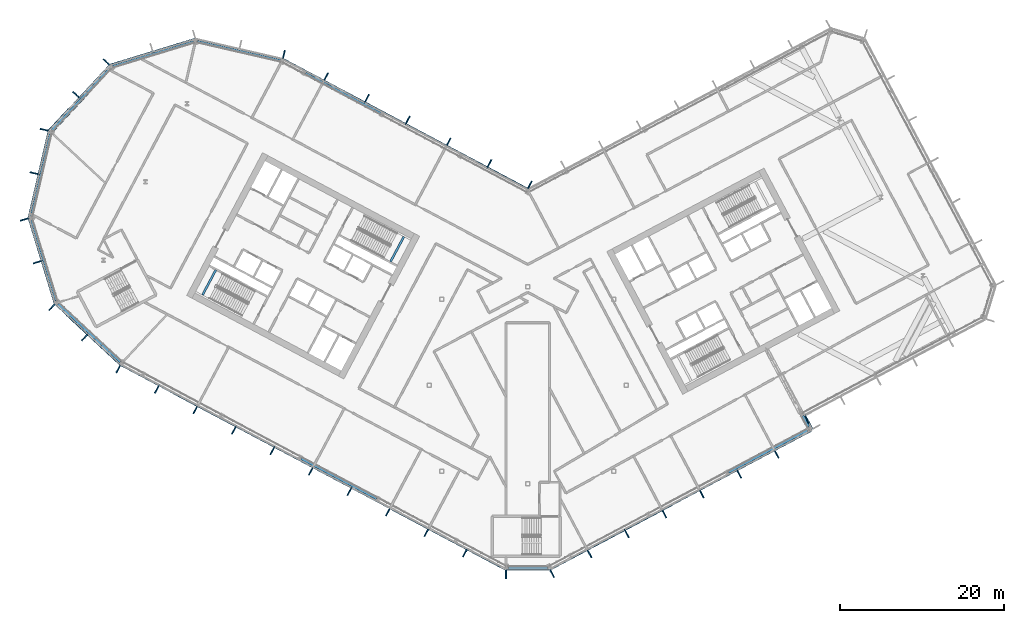
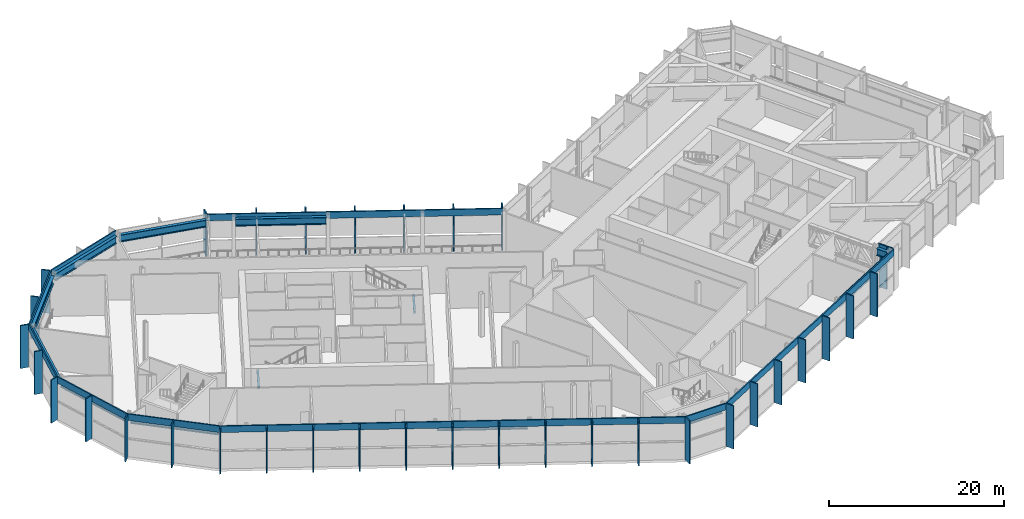
# One storey, part 9 of 33: 44 members, 13 beams, 12 elements without a shape of their own.
"""IFC4 building model written with IfcOpenShell, lengths in metres."""

from ifc_helpers import new_model, si_unit, direction, frame, origin, origin_2d, place, context, subcontext, project, spatial, rectangle, i_section, extrude, material, layer, layer_set, material_profile, profile_set, type_object, element, aggregate, save


model = new_model("IFC4")

# Units and contexts
model_context = context("Model", 3, precision=1e-05, world=origin(), true_north=direction((0.0, 1.0)))
body_context = subcontext(model_context, "Body", "Model", "MODEL_VIEW")
ifc_project = project(units=[si_unit("LENGTHUNIT", "METRE"), si_unit("AREAUNIT", "SQUARE_METRE"), si_unit("VOLUMEUNIT", "CUBIC_METRE"), si_unit("PLANEANGLEUNIT", "RADIAN"), si_unit("MASSUNIT", "GRAM", prefix="KILO")], contexts=[model_context])

# Site, building, storey
site_placement = place(None, origin())
site = spatial("IfcSite", under=ifc_project, at=site_placement, CompositionType="ELEMENT")
building_placement = place(site_placement, origin())
building = spatial("IfcBuilding", under=site, at=building_placement, Name="Cormorant Relay Tower", CompositionType="ELEMENT")
storey_placement = place(building_placement, frame((0.0, 0.0, 183.60009765625)))
storey = spatial("IfcBuildingStorey", under=building, at=storey_placement, Name="L39", CompositionType="ELEMENT", Elevation=183.60009765625)

# Curtain wall, member
ifc_material_1 = material(Name="Aluminium 6063-T6 anodised bronze", Category="aluminium")
ifc_layer = layer(ifc_material_1, 0.199951171875)
ifc_layer_set = layer_set([ifc_layer], Name="CW4 band louvre wall")
curtain_wall_type = type_object("IfcCurtainWallType", Name="CW4 band louvre wall", PredefinedType="NOTDEFINED", material=ifc_layer_set)
curtain_wall_1_placement = place(storey_placement, origin())
curtain_wall_1 = element("IfcCurtainWall", 1, at=curtain_wall_1_placement, inside=storey, type_object=curtain_wall_type, Name="CW4 curtain wall 1", PredefinedType="NOTDEFINED")
ifc_material_2 = material(Name="Aluminium 6063-T6 anodised bronze", Category="aluminium")
ifc_material_profile_1 = material_profile(ifc_material_2, rectangle(XDim=0.14990234375, YDim=1.0, at=origin_2d()), Name="AL 150x1000")
ifc_profile_set_1 = profile_set([ifc_material_profile_1], Name="Aluminium 6063-T6 anodised bronze")
member_type_1 = type_object("IfcMemberType", Name="CW4 bronze fin mullion 150 x 1000", PredefinedType="MULLION", material=ifc_profile_set_1)
member_1_placement = place(storey_placement, frame((-2.648681640625, -23.07568359375, 0.0), z_axis=(0.0, 0.0, 1.0), x_axis=(1.0, 0.0, 0.0)))
member_1 = element("IfcMember", 2, at=member_1_placement, type_object=member_type_1, Name="CW4 fin 1.1", PredefinedType="MULLION", context=body_context, shape_type="SweptSolid", body=[
    extrude(rectangle(XDim=0.14990234375, YDim=1.0, at=origin_2d()), origin(), (0.0, 0.0, 1.0), 6.0),
])

# Curtain wall, members
curtain_wall_2_placement = place(storey_placement, origin())
curtain_wall_2 = element("IfcCurtainWall", 3, at=curtain_wall_2_placement, inside=storey, type_object=curtain_wall_type, Name="CW4 curtain wall 2", PredefinedType="NOTDEFINED")
member_2_placement = place(storey_placement, frame((2.9775390625, -22.99365234375, 0.0), z_axis=(0.0, 0.0, 1.0), x_axis=(0.882947592859, 0.469471562786, 0.0)))
member_2 = element("IfcMember", 4, at=member_2_placement, type_object=member_type_1, Name="CW4 fin 2.1", PredefinedType="MULLION", context=body_context, shape_type="SweptSolid", body=[
    extrude(rectangle(XDim=0.14990234375, YDim=1.0, at=origin_2d()), origin(), (0.0, 0.0, 1.0), 6.0),
])
member_3_placement = place(storey_placement, frame((7.539306640625, -20.568115234375, 0.0), z_axis=(0.0, 0.0, 1.0), x_axis=(0.882947592859, 0.469471562786, 0.0)))
member_3 = element("IfcMember", 5, at=member_3_placement, type_object=member_type_1, Name="CW4 fin 2.2", PredefinedType="MULLION", context=body_context, shape_type="SweptSolid", body=[
    extrude(rectangle(XDim=0.14990234375, YDim=1.0, at=origin_2d()), origin(), (0.0, 0.0, 1.0), 6.0),
])
member_4_placement = place(storey_placement, frame((12.10107421875, -18.142578125, 0.0), z_axis=(0.0, 0.0, 1.0), x_axis=(0.882947592859, 0.469471562786, 0.0)))
member_4 = element("IfcMember", 6, at=member_4_placement, type_object=member_type_1, Name="CW4 fin 2.3", PredefinedType="MULLION", context=body_context, shape_type="SweptSolid", body=[
    extrude(rectangle(XDim=0.14990234375, YDim=1.0, at=origin_2d()), origin(), (0.0, 0.0, 1.0), 6.0),
])
member_5_placement = place(storey_placement, frame((16.662841796875, -15.717041015625, 0.0), z_axis=(0.0, 0.0, 1.0), x_axis=(0.882947592859, 0.469471562786, 0.0)))
member_5 = element("IfcMember", 7, at=member_5_placement, type_object=member_type_1, Name="CW4 fin 2.4", PredefinedType="MULLION", context=body_context, shape_type="SweptSolid", body=[
    extrude(rectangle(XDim=0.14990234375, YDim=1.0, at=origin_2d()), origin(), (0.0, 0.0, 1.0), 6.0),
])
member_6_placement = place(storey_placement, frame((21.224609375, -13.29150390625, 0.0), z_axis=(0.0, 0.0, 1.0), x_axis=(0.882947592859, 0.469471562786, 0.0)))
member_6 = element("IfcMember", 8, at=member_6_placement, type_object=member_type_1, Name="CW4 fin 2.5", PredefinedType="MULLION", context=body_context, shape_type="SweptSolid", body=[
    extrude(rectangle(XDim=0.14990234375, YDim=1.0, at=origin_2d()), origin(), (0.0, 0.0, 1.0), 6.0),
])
member_7_placement = place(storey_placement, frame((25.78662109375, -10.865966796875, 0.0), z_axis=(0.0, 0.0, 1.0), x_axis=(0.882947592859, 0.469471562786, 0.0)))
member_7 = element("IfcMember", 9, at=member_7_placement, type_object=member_type_1, Name="CW4 fin 2.6", PredefinedType="MULLION", context=body_context, shape_type="SweptSolid", body=[
    extrude(rectangle(XDim=0.14990234375, YDim=1.0, at=origin_2d()), origin(), (0.0, 0.0, 1.0), 6.0),
])
member_8_placement = place(storey_placement, frame((30.348388671875, -8.440185546875, 0.0), z_axis=(0.0, 0.0, 1.0), x_axis=(0.882947592859, 0.469471562786, 0.0)))
member_8 = element("IfcMember", 10, at=member_8_placement, type_object=member_type_1, Name="CW4 fin 2.7", PredefinedType="MULLION", context=body_context, shape_type="SweptSolid", body=[
    extrude(rectangle(XDim=0.14990234375, YDim=1.0, at=origin_2d()), origin(), (0.0, 0.0, 1.0), 6.0),
])

# Curtain wall, member
curtain_wall_3_placement = place(storey_placement, origin())
curtain_wall_3 = element("IfcCurtainWall", 11, at=curtain_wall_3_placement, inside=storey, type_object=curtain_wall_type, Name="CW4 curtain wall 4", PredefinedType="NOTDEFINED")
member_9_placement = place(storey_placement, frame((34.037353515625, -4.213623046875, 0.0), z_axis=(0.0, 0.0, 1.0), x_axis=(0.882947592859, 0.469471562786, 0.0)))
member_9 = element("IfcMember", 12, at=member_9_placement, type_object=member_type_1, Name="CW4 fin 4.1", PredefinedType="MULLION", context=body_context, shape_type="SweptSolid", body=[
    extrude(rectangle(XDim=0.14990234375, YDim=1.0, at=origin_2d()), origin(), (0.0, 0.0, 1.0), 6.0),
])
aggregate(curtain_wall_3, [member_9])

# Curtain wall, members
curtain_wall_4_placement = place(storey_placement, origin())
curtain_wall_4 = element("IfcCurtainWall", 13, at=curtain_wall_4_placement, inside=storey, type_object=curtain_wall_type, Name="CW4 curtain wall 9", PredefinedType="NOTDEFINED")
member_10_placement = place(storey_placement, frame((0.262451171875, 24.437255859375, 0.0), z_axis=(0.0, 0.0, 1.0), x_axis=(-0.882947592859, 0.469471562786, 0.0)))
member_10 = element("IfcMember", 14, at=member_10_placement, type_object=member_type_1, Name="CW4 fin 9.1", PredefinedType="MULLION", context=body_context, shape_type="SweptSolid", body=[
    extrude(rectangle(XDim=0.14990234375, YDim=1.0, at=origin_2d()), origin(), (0.0, 0.0, 1.0), 6.0),
])
member_11_placement = place(storey_placement, frame((-4.650390625, 27.04931640625, 0.0), z_axis=(0.0, 0.0, 1.0), x_axis=(-0.882947592859, 0.469471562786, 0.0)))
member_11 = element("IfcMember", 15, at=member_11_placement, type_object=member_type_1, Name="CW4 fin 9.2", PredefinedType="MULLION", context=body_context, shape_type="SweptSolid", body=[
    extrude(rectangle(XDim=0.14990234375, YDim=1.0, at=origin_2d()), origin(), (0.0, 0.0, 1.0), 6.0),
])
member_12_placement = place(storey_placement, frame((-9.62939453125, 29.69677734375, 0.0), z_axis=(0.0, 0.0, 1.0), x_axis=(-0.882947592859, 0.469471562786, 0.0)))
member_12 = element("IfcMember", 16, at=member_12_placement, type_object=member_type_1, Name="CW4 fin 9.3", PredefinedType="MULLION", context=body_context, shape_type="SweptSolid", body=[
    extrude(rectangle(XDim=0.14990234375, YDim=1.0, at=origin_2d()), origin(), (0.0, 0.0, 1.0), 6.0),
])
member_13_placement = place(storey_placement, frame((-14.608154296875, 32.343994140625, 0.0), z_axis=(0.0, 0.0, 1.0), x_axis=(-0.882947592859, 0.469471562786, 0.0)))
member_13 = element("IfcMember", 17, at=member_13_placement, type_object=member_type_1, Name="CW4 fin 9.4", PredefinedType="MULLION", context=body_context, shape_type="SweptSolid", body=[
    extrude(rectangle(XDim=0.14990234375, YDim=1.0, at=origin_2d()), origin(), (0.0, 0.0, 1.0), 6.0),
])
member_14_placement = place(storey_placement, frame((-19.587158203125, 34.991455078125, 0.0), z_axis=(0.0, 0.0, 1.0), x_axis=(-0.882947592859, 0.469471562786, 0.0)))
member_14 = element("IfcMember", 18, at=member_14_placement, type_object=member_type_1, Name="CW4 fin 9.5", PredefinedType="MULLION", context=body_context, shape_type="SweptSolid", body=[
    extrude(rectangle(XDim=0.14990234375, YDim=1.0, at=origin_2d()), origin(), (0.0, 0.0, 1.0), 6.0),
])
member_15_placement = place(storey_placement, frame((-24.566162109375, 37.638916015625, 0.0), z_axis=(0.0, 0.0, 1.0), x_axis=(-0.882947592859, 0.469471562786, 0.0)))
member_15 = element("IfcMember", 19, at=member_15_placement, type_object=member_type_1, Name="CW4 fin 9.6", PredefinedType="MULLION", context=body_context, shape_type="SweptSolid", body=[
    extrude(rectangle(XDim=0.14990234375, YDim=1.0, at=origin_2d()), origin(), (0.0, 0.0, 1.0), 6.0),
])

# Curtain wall, member
curtain_wall_5_placement = place(storey_placement, origin())
curtain_wall_5 = element("IfcCurtainWall", 20, at=curtain_wall_5_placement, inside=storey, type_object=curtain_wall_type, Name="CW4 curtain wall 10", PredefinedType="NOTDEFINED")
member_16_placement = place(storey_placement, frame((-29.71630859375, 40.35009765625, 0.0), z_axis=(0.0, 0.0, 1.0), x_axis=(-0.974370064785, 0.224951054344, 0.0)))
member_16 = element("IfcMember", 21, at=member_16_placement, type_object=member_type_1, Name="CW4 fin 10.1", PredefinedType="MULLION", context=body_context, shape_type="SweptSolid", body=[
    extrude(rectangle(XDim=0.14990234375, YDim=1.0, at=origin_2d()), origin(), (0.0, 0.0, 1.0), 6.0),
])
aggregate(curtain_wall_5, [member_16])

# Curtain wall, members
curtain_wall_6_placement = place(storey_placement, origin())
curtain_wall_6 = element("IfcCurtainWall", 22, at=curtain_wall_6_placement, inside=storey, type_object=curtain_wall_type, Name="CW4 curtain wall 12", PredefinedType="NOTDEFINED")
member_17_placement = place(storey_placement, frame((-51.372802734375, 39.41259765625, 0.0), z_axis=(0.0, 0.0, 1.0), x_axis=(-0.681998360062, -0.731353701619, 0.0)))
member_17 = element("IfcMember", 23, at=member_17_placement, type_object=member_type_1, Name="CW4 fin 12.1", PredefinedType="MULLION", context=body_context, shape_type="SweptSolid", body=[
    extrude(rectangle(XDim=0.14990234375, YDim=1.0, at=origin_2d()), origin(), (0.0, 0.0, 1.0), 6.0),
])
member_18_placement = place(storey_placement, frame((-55.07958984375, 35.4375, 0.0), z_axis=(0.0, 0.0, 1.0), x_axis=(-0.681998360062, -0.731353701619, 0.0)))
member_18 = element("IfcMember", 24, at=member_18_placement, type_object=member_type_1, Name="CW4 fin 12.2", PredefinedType="MULLION", context=body_context, shape_type="SweptSolid", body=[
    extrude(rectangle(XDim=0.14990234375, YDim=1.0, at=origin_2d()), origin(), (0.0, 0.0, 1.0), 6.0),
])

curtain_wall_7_placement = place(storey_placement, origin())
curtain_wall_7 = element("IfcCurtainWall", 25, at=curtain_wall_7_placement, inside=storey, type_object=curtain_wall_type, Name="CW4 curtain wall 13", PredefinedType="NOTDEFINED")
member_19_placement = place(storey_placement, frame((-58.95654296875, 31.142578125, 0.0), z_axis=(0.0, 0.0, 1.0), x_axis=(-0.224951054344, -0.974370064785, 0.0)))
member_19 = element("IfcMember", 26, at=member_19_placement, type_object=member_type_1, Name="CW4 fin 13.1", PredefinedType="MULLION", context=body_context, shape_type="SweptSolid", body=[
    extrude(rectangle(XDim=0.14990234375, YDim=1.0, at=origin_2d()), origin(), (0.0, 0.0, 1.0), 6.0),
])
member_20_placement = place(storey_placement, frame((-60.17919921875, 25.8466796875, 0.0), z_axis=(0.0, 0.0, 1.0), x_axis=(-0.224951054344, -0.974370064785, 0.0)))
member_20 = element("IfcMember", 27, at=member_20_placement, type_object=member_type_1, Name="CW4 fin 13.2", PredefinedType="MULLION", context=body_context, shape_type="SweptSolid", body=[
    extrude(rectangle(XDim=0.14990234375, YDim=1.0, at=origin_2d()), origin(), (0.0, 0.0, 1.0), 6.0),
])

curtain_wall_8_placement = place(storey_placement, origin())
curtain_wall_8 = element("IfcCurtainWall", 28, at=curtain_wall_8_placement, inside=storey, type_object=curtain_wall_type, Name="CW4 curtain wall 14", PredefinedType="NOTDEFINED")
member_21_placement = place(storey_placement, frame((-61.389404296875, 20.188720703125, 0.0), z_axis=(0.0, 0.0, 1.0), x_axis=(0.292371704723, -0.956304755963, 0.0)))
member_21 = element("IfcMember", 29, at=member_21_placement, type_object=member_type_1, Name="CW4 fin 14.1", PredefinedType="MULLION", context=body_context, shape_type="SweptSolid", body=[
    extrude(rectangle(XDim=0.14990234375, YDim=1.0, at=origin_2d()), origin(), (0.0, 0.0, 1.0), 6.0),
])
member_22_placement = place(storey_placement, frame((-59.80029296875, 14.990966796875, 0.0), z_axis=(0.0, 0.0, 1.0), x_axis=(0.292371704723, -0.956304755963, 0.0)))
member_22 = element("IfcMember", 30, at=member_22_placement, type_object=member_type_1, Name="CW4 fin 14.2", PredefinedType="MULLION", context=body_context, shape_type="SweptSolid", body=[
    extrude(rectangle(XDim=0.14990234375, YDim=1.0, at=origin_2d()), origin(), (0.0, 0.0, 1.0), 6.0),
])

curtain_wall_9_placement = place(storey_placement, origin())
curtain_wall_9 = element("IfcCurtainWall", 31, at=curtain_wall_9_placement, inside=storey, type_object=curtain_wall_type, Name="CW4 curtain wall 15", PredefinedType="NOTDEFINED")
member_23_placement = place(storey_placement, frame((-58.01904296875, 9.486083984375, 0.0), z_axis=(0.0, 0.0, 1.0), x_axis=(0.731353701619, -0.681998360062, 0.0)))
member_23 = element("IfcMember", 32, at=member_23_placement, type_object=member_type_1, Name="CW4 fin 15.1", PredefinedType="MULLION", context=body_context, shape_type="SweptSolid", body=[
    extrude(rectangle(XDim=0.14990234375, YDim=1.0, at=origin_2d()), origin(), (0.0, 0.0, 1.0), 6.0),
])
member_24_placement = place(storey_placement, frame((-54.0439453125, 5.779296875, 0.0), z_axis=(0.0, 0.0, 1.0), x_axis=(0.731353701619, -0.681998360062, 0.0)))
member_24 = element("IfcMember", 33, at=member_24_placement, type_object=member_type_1, Name="CW4 fin 15.2", PredefinedType="MULLION", context=body_context, shape_type="SweptSolid", body=[
    extrude(rectangle(XDim=0.14990234375, YDim=1.0, at=origin_2d()), origin(), (0.0, 0.0, 1.0), 6.0),
])

curtain_wall_10_placement = place(storey_placement, origin())
curtain_wall_10 = element("IfcCurtainWall", 34, at=curtain_wall_10_placement, inside=storey, type_object=curtain_wall_type, Name="CW4 curtain wall 16", PredefinedType="NOTDEFINED")
member_25_placement = place(storey_placement, frame((-49.920166015625, 1.96630859375, 0.0), z_axis=(0.0, 0.0, 1.0), x_axis=(0.882947592859, -0.469471562786, 0.0)))
member_25 = element("IfcMember", 35, at=member_25_placement, type_object=member_type_1, Name="CW4 fin 16.1", PredefinedType="MULLION", context=body_context, shape_type="SweptSolid", body=[
    extrude(rectangle(XDim=0.14990234375, YDim=1.0, at=origin_2d()), origin(), (0.0, 0.0, 1.0), 6.0),
])
member_26_placement = place(storey_placement, frame((-45.225830078125, -0.52978515625, 0.0), z_axis=(0.0, 0.0, 1.0), x_axis=(0.882947592859, -0.469471562786, 0.0)))
member_26 = element("IfcMember", 36, at=member_26_placement, type_object=member_type_1, Name="CW4 fin 16.2", PredefinedType="MULLION", context=body_context, shape_type="SweptSolid", body=[
    extrude(rectangle(XDim=0.14990234375, YDim=1.0, at=origin_2d()), origin(), (0.0, 0.0, 1.0), 6.0),
])
member_27_placement = place(storey_placement, frame((-40.531494140625, -3.025634765625, 0.0), z_axis=(0.0, 0.0, 1.0), x_axis=(0.882947592859, -0.469471562786, 0.0)))
member_27 = element("IfcMember", 37, at=member_27_placement, type_object=member_type_1, Name="CW4 fin 16.3", PredefinedType="MULLION", context=body_context, shape_type="SweptSolid", body=[
    extrude(rectangle(XDim=0.14990234375, YDim=1.0, at=origin_2d()), origin(), (0.0, 0.0, 1.0), 6.0),
])
member_28_placement = place(storey_placement, frame((-35.83740234375, -5.521728515625, 0.0), z_axis=(0.0, 0.0, 1.0), x_axis=(0.882947592859, -0.469471562786, 0.0)))
member_28 = element("IfcMember", 38, at=member_28_placement, type_object=member_type_1, Name="CW4 fin 16.4", PredefinedType="MULLION", context=body_context, shape_type="SweptSolid", body=[
    extrude(rectangle(XDim=0.14990234375, YDim=1.0, at=origin_2d()), origin(), (0.0, 0.0, 1.0), 6.0),
])
member_29_placement = place(storey_placement, frame((-31.14306640625, -8.017578125, 0.0), z_axis=(0.0, 0.0, 1.0), x_axis=(0.882947592859, -0.469471562786, 0.0)))
member_29 = element("IfcMember", 39, at=member_29_placement, type_object=member_type_1, Name="CW4 fin 16.5", PredefinedType="MULLION", context=body_context, shape_type="SweptSolid", body=[
    extrude(rectangle(XDim=0.14990234375, YDim=1.0, at=origin_2d()), origin(), (0.0, 0.0, 1.0), 6.0),
])
member_30_placement = place(storey_placement, frame((-26.44873046875, -10.513671875, 0.0), z_axis=(0.0, 0.0, 1.0), x_axis=(0.882947592859, -0.469471562786, 0.0)))
member_30 = element("IfcMember", 40, at=member_30_placement, type_object=member_type_1, Name="CW4 fin 16.6", PredefinedType="MULLION", context=body_context, shape_type="SweptSolid", body=[
    extrude(rectangle(XDim=0.14990234375, YDim=1.0, at=origin_2d()), origin(), (0.0, 0.0, 1.0), 6.0),
])
member_31_placement = place(storey_placement, frame((-21.754638671875, -13.009765625, 0.0), z_axis=(0.0, 0.0, 1.0), x_axis=(0.882947592859, -0.469471562786, 0.0)))
member_31 = element("IfcMember", 41, at=member_31_placement, type_object=member_type_1, Name="CW4 fin 16.7", PredefinedType="MULLION", context=body_context, shape_type="SweptSolid", body=[
    extrude(rectangle(XDim=0.14990234375, YDim=1.0, at=origin_2d()), origin(), (0.0, 0.0, 1.0), 6.0),
])
member_32_placement = place(storey_placement, frame((-17.060302734375, -15.505615234375, 0.0), z_axis=(0.0, 0.0, 1.0), x_axis=(0.882947592859, -0.469471562786, 0.0)))
member_32 = element("IfcMember", 42, at=member_32_placement, type_object=member_type_1, Name="CW4 fin 16.8", PredefinedType="MULLION", context=body_context, shape_type="SweptSolid", body=[
    extrude(rectangle(XDim=0.14990234375, YDim=1.0, at=origin_2d()), origin(), (0.0, 0.0, 1.0), 6.0),
])
member_33_placement = place(storey_placement, frame((-12.365966796875, -18.001708984375, 0.0), z_axis=(0.0, 0.0, 1.0), x_axis=(0.882947592859, -0.469471562786, 0.0)))
member_33 = element("IfcMember", 43, at=member_33_placement, type_object=member_type_1, Name="CW4 fin 16.9", PredefinedType="MULLION", context=body_context, shape_type="SweptSolid", body=[
    extrude(rectangle(XDim=0.14990234375, YDim=1.0, at=origin_2d()), origin(), (0.0, 0.0, 1.0), 6.0),
])
member_34_placement = place(storey_placement, frame((-7.671630859375, -20.49755859375, 0.0), z_axis=(0.0, 0.0, 1.0), x_axis=(0.882947592859, -0.469471562786, 0.0)))
member_34 = element("IfcMember", 44, at=member_34_placement, type_object=member_type_1, Name="CW4 fin 16.10", PredefinedType="MULLION", context=body_context, shape_type="SweptSolid", body=[
    extrude(rectangle(XDim=0.14990234375, YDim=1.0, at=origin_2d()), origin(), (0.0, 0.0, 1.0), 6.0),
])

# Member
ifc_material_3 = material(Name="Aluminium 6063-T6 anodised bronze", Category="aluminium")
ifc_material_profile_2 = material_profile(ifc_material_3, rectangle(XDim=0.159912109375, YDim=0.89990234375, at=origin_2d()), Name="AL 160x900")
ifc_profile_set_2 = profile_set([ifc_material_profile_2], Name="Aluminium 6063-T6 anodised bronze")
member_type_2 = type_object("IfcMemberType", Name="CW4 bronze transom 160 x 900", PredefinedType="USERDEFINED", material=ifc_profile_set_2)
member_35_placement = place(storey_placement, frame((-2.648681640625, -22.49560546875, 5.5498046875), z_axis=(1.0, 0.0, 0.0), x_axis=(0.0, 1.0, 0.0)))
member_35 = element("IfcMember", 45, at=member_35_placement, type_object=member_type_2, Name="CW4 transom 1", ObjectType="TRANSOM", PredefinedType="USERDEFINED", context=body_context, shape_type="SweptSolid", body=[
    extrude(rectangle(XDim=0.159912109375, YDim=0.89990234375, at=origin_2d()), origin(), (0.0, 0.0, 1.0), 5.29736328125),
])

aggregate(curtain_wall_1, [member_1, member_35])

member_36_placement = place(storey_placement, frame((2.705078125, -22.4814453125, 5.5498046875), z_axis=(0.882948899141, 0.469469106018, 0.0), x_axis=(-0.469469106018, 0.882948899141, 0.0)))
member_36 = element("IfcMember", 46, at=member_36_placement, type_object=member_type_2, Name="CW4 transom 2", ObjectType="TRANSOM", PredefinedType="USERDEFINED", context=body_context, shape_type="SweptSolid", body=[
    extrude(rectangle(XDim=0.159912109375, YDim=0.89990234375, at=origin_2d()), origin(), (0.0, 0.0, 1.0), 36.165771484375),
])

aggregate(curtain_wall_2, [member_2, member_3, member_4, member_5, member_6, member_7, member_8, member_36])

# Curtain wall, member
curtain_wall_11_placement = place(storey_placement, origin())
curtain_wall_11 = element("IfcCurtainWall", 47, at=curtain_wall_11_placement, inside=storey, type_object=curtain_wall_type, Name="CW4 curtain wall 3", PredefinedType="NOTDEFINED")
member_37_placement = place(storey_placement, frame((34.6875, -5.34033203125, 5.5498046875), z_axis=(-0.469580583036, 0.88288961713, 0.0), x_axis=(-0.88288961713, -0.469580583036, 0.0)))
member_37 = element("IfcMember", 48, at=member_37_placement, type_object=member_type_2, Name="CW4 transom 3", ObjectType="TRANSOM", PredefinedType="USERDEFINED", context=body_context, shape_type="SweptSolid", body=[
    extrude(rectangle(XDim=0.159912109375, YDim=0.89990234375, at=origin_2d()), origin(), (0.0, 0.0, 1.0), 2.0),
])
aggregate(curtain_wall_11, [member_37])

# Member
member_38_placement = place(storey_placement, frame((0.056396484375, 23.889892578125, 5.5498046875), z_axis=(-0.882946280328, 0.46947403129, 0.0), x_axis=(-0.46947403129, -0.882946280328, 0.0)))
member_38 = element("IfcMember", 49, at=member_38_placement, type_object=member_type_2, Name="CW4 transom 9", ObjectType="TRANSOM", PredefinedType="USERDEFINED", context=body_context, shape_type="SweptSolid", body=[
    extrude(rectangle(XDim=0.159912109375, YDim=0.89990234375, at=origin_2d()), origin(), (0.0, 0.0, 1.0), 33.834228515625),
])

aggregate(curtain_wall_4, [member_10, member_11, member_12, member_13, member_14, member_15, member_38])

# Curtain wall, member
curtain_wall_12_placement = place(storey_placement, origin())
curtain_wall_12 = element("IfcCurtainWall", 50, at=curtain_wall_12_placement, inside=storey, type_object=curtain_wall_type, Name="CW4 curtain wall 11", PredefinedType="NOTDEFINED")
member_39_placement = place(storey_placement, frame((-40.50048828125, 42.228271484375, 5.5498046875), z_axis=(-0.956304833932, -0.292371449698, 0.0), x_axis=(0.292371449698, -0.956304833932, 0.0)))
member_39 = element("IfcMember", 51, at=member_39_placement, type_object=member_type_2, Name="CW4 transom 11", ObjectType="TRANSOM", PredefinedType="USERDEFINED", context=body_context, shape_type="SweptSolid", body=[
    extrude(rectangle(XDim=0.159912109375, YDim=0.89990234375, at=origin_2d()), origin(), (0.0, 0.0, 1.0), 10.87060546875),
])
aggregate(curtain_wall_12, [member_39])

# Member
member_40_placement = place(storey_placement, frame((-50.94873046875, 39.01708984375, 5.5498046875), z_axis=(-0.681993299437, -0.731358420696, 0.0), x_axis=(0.731358420696, -0.681993299437, 0.0)))
member_40 = element("IfcMember", 52, at=member_40_placement, type_object=member_type_2, Name="CW4 transom 12", ObjectType="TRANSOM", PredefinedType="USERDEFINED", context=body_context, shape_type="SweptSolid", body=[
    extrude(rectangle(XDim=0.159912109375, YDim=0.89990234375, at=origin_2d()), origin(), (0.0, 0.0, 1.0), 10.870361328125),
])

aggregate(curtain_wall_6, [member_17, member_18, member_40])

member_41_placement = place(storey_placement, frame((-58.3916015625, 31.01220703125, 5.5498046875), z_axis=(-0.22495136131, -0.974369993916, 0.0), x_axis=(0.974369993916, -0.22495136131, 0.0)))
member_41 = element("IfcMember", 53, at=member_41_placement, type_object=member_type_2, Name="CW4 transom 13", ObjectType="TRANSOM", PredefinedType="USERDEFINED", context=body_context, shape_type="SweptSolid", body=[
    extrude(rectangle(XDim=0.159912109375, YDim=0.89990234375, at=origin_2d()), origin(), (0.0, 0.0, 1.0), 10.870361328125),
])

aggregate(curtain_wall_7, [member_19, member_20, member_41])

member_42_placement = place(storey_placement, frame((-60.834716796875, 20.358154296875, 5.5498046875), z_axis=(0.292377729282, -0.95630291405, 0.0), x_axis=(0.95630291405, 0.292377729282, 0.0)))
member_42 = element("IfcMember", 54, at=member_42_placement, type_object=member_type_2, Name="CW4 transom 14", ObjectType="TRANSOM", PredefinedType="USERDEFINED", context=body_context, shape_type="SweptSolid", body=[
    extrude(rectangle(XDim=0.159912109375, YDim=0.89990234375, at=origin_2d()), origin(), (0.0, 0.0, 1.0), 10.870361328125),
])

aggregate(curtain_wall_8, [member_21, member_22, member_42])

member_43_placement = place(storey_placement, frame((-57.62353515625, 9.91015625, 5.5498046875), z_axis=(0.731358420696, -0.681993299437, 0.0), x_axis=(0.681993299437, 0.731358420696, 0.0)))
member_43 = element("IfcMember", 55, at=member_43_placement, type_object=member_type_2, Name="CW4 transom 15", ObjectType="TRANSOM", PredefinedType="USERDEFINED", context=body_context, shape_type="SweptSolid", body=[
    extrude(rectangle(XDim=0.159912109375, YDim=0.89990234375, at=origin_2d()), origin(), (0.0, 0.0, 1.0), 10.870361328125),
])

aggregate(curtain_wall_9, [member_23, member_24, member_43])

member_44_placement = place(storey_placement, frame((-49.64794921875, 2.478515625, 5.5498046875), z_axis=(0.882947642542, -0.469471469346, 0.0), x_axis=(0.469471469346, 0.882947642542, 0.0)))
member_44 = element("IfcMember", 56, at=member_44_placement, type_object=member_type_2, Name="CW4 transom 16", ObjectType="TRANSOM", PredefinedType="USERDEFINED", context=body_context, shape_type="SweptSolid", body=[
    extrude(rectangle(XDim=0.159912109375, YDim=0.89990234375, at=origin_2d()), origin(), (0.0, 0.0, 1.0), 53.166015625),
])

aggregate(curtain_wall_10, [member_25, member_26, member_27, member_28, member_29, member_30, member_31, member_32, member_33, member_34, member_44])

# Beams
ifc_material_4 = material(Name="Steel ASTM A992 (Fy 345 MPa)", Category="steel")
ifc_material_profile_3 = material_profile(ifc_material_4, i_section(OverallWidth=0.4013671875, OverallDepth=1.000732421875, WebThickness=0.01904296875, FlangeThickness=0.0361328125, FilletRadius=0.02978515625, at=origin_2d()), Name="W1000x371")
ifc_profile_set_3 = profile_set([ifc_material_profile_3], Name="Steel ASTM A992 (Fy 345 MPa)")
beam_type_1 = type_object("IfcBeamType", Name="Spandrel W1000x371", PredefinedType="SPANDREL", material=ifc_profile_set_3)
beam_1_placement = place(storey_placement, frame((-2.35888671875, -22.1748046875, 5.049560546875), z_axis=(1.0, 0.0, 0.0), x_axis=(0.0, 1.0, 0.0)))
element("IfcBeam", 57, at=beam_1_placement, inside=storey, type_object=beam_type_1, Name="Spandrel beam L39-001", PredefinedType="SPANDREL", context=body_context, shape_type="SweptSolid", body=[
    extrude(i_section(OverallWidth=0.4013671875, OverallDepth=1.000732421875, WebThickness=0.01904296875, FlangeThickness=0.0361328125, FilletRadius=0.02978515625, at=origin_2d()), origin(), (0.0, 0.0, 1.0), 4.748046875),
])
beam_2_placement = place(storey_placement, frame((24.427001953125, -10.568603515625, 5.049560546875), z_axis=(0.88295524081, 0.469457178799, 0.0), x_axis=(-0.469457178799, 0.88295524081, 0.0)))
element("IfcBeam", 58, at=beam_2_placement, inside=storey, type_object=beam_type_1, Name="Spandrel beam L39-002", PredefinedType="SPANDREL", context=body_context, shape_type="SweptSolid", body=[
    extrude(i_section(OverallWidth=0.4013671875, OverallDepth=1.000732421875, WebThickness=0.01904296875, FlangeThickness=0.0361328125, FilletRadius=0.02978515625, at=origin_2d()), origin(), (0.0, 0.0, 1.0), 10.915771484375),
])
beam_3_placement = place(storey_placement, frame((34.191650390625, -5.091064453125, 5.049560546875), z_axis=(-0.469471937736, 0.882947393494, 0.0), x_axis=(-0.882947393494, -0.469471937736, 0.0)))
element("IfcBeam", 59, at=beam_3_placement, inside=storey, type_object=beam_type_1, Name="Spandrel beam L39-003", PredefinedType="SPANDREL", context=body_context, shape_type="SweptSolid", body=[
    extrude(i_section(OverallWidth=0.4013671875, OverallDepth=1.000732421875, WebThickness=0.01904296875, FlangeThickness=0.0361328125, FilletRadius=0.02978515625, at=origin_2d()), origin(), (0.0, 0.0, 1.0), 1.521728515625),
])
beam_4_placement = place(storey_placement, frame((-17.964599609375, 33.108642578125, 5.049560546875), z_axis=(-0.882946180893, 0.469474218299, 0.0), x_axis=(-0.469474218299, -0.882946180893, 0.0)))
element("IfcBeam", 60, at=beam_4_placement, inside=storey, type_object=beam_type_1, Name="Spandrel beam L39-007", PredefinedType="SPANDREL", context=body_context, shape_type="SweptSolid", body=[
    extrude(i_section(OverallWidth=0.4013671875, OverallDepth=1.000732421875, WebThickness=0.01904296875, FlangeThickness=0.0361328125, FilletRadius=0.02978515625, at=origin_2d()), origin(), (0.0, 0.0, 1.0), 10.388671875),
])
beam_5_placement = place(storey_placement, frame((-30.162109375, 39.52880859375, 5.049560546875), z_axis=(-0.974371727644, 0.224943851591, 0.0), x_axis=(-0.224943851591, -0.974371727644, 0.0)))
element("IfcBeam", 61, at=beam_5_placement, inside=storey, type_object=beam_type_1, Name="Spandrel beam L39-008", PredefinedType="SPANDREL", context=body_context, shape_type="SweptSolid", body=[
    extrude(i_section(OverallWidth=0.4013671875, OverallDepth=1.000732421875, WebThickness=0.01904296875, FlangeThickness=0.0361328125, FilletRadius=0.02978515625, at=origin_2d()), origin(), (0.0, 0.0, 1.0), 10.3583984375),
])
beam_6_placement = place(storey_placement, frame((-40.69140625, 41.834716796875, 5.049560546875), z_axis=(-0.95629714744, -0.292396589921, 0.0), x_axis=(0.292396589921, -0.95629714744, 0.0)))
element("IfcBeam", 62, at=beam_6_placement, inside=storey, type_object=beam_type_1, Name="Spandrel beam L39-009", PredefinedType="SPANDREL", context=body_context, shape_type="SweptSolid", body=[
    extrude(i_section(OverallWidth=0.4013671875, OverallDepth=1.000732421875, WebThickness=0.01904296875, FlangeThickness=0.0361328125, FilletRadius=0.02978515625, at=origin_2d()), origin(), (0.0, 0.0, 1.0), 10.31103515625),
])
beam_7_placement = place(storey_placement, frame((-50.917236328125, 38.58056640625, 5.049560546875), z_axis=(-0.682003508788, -0.731348900321, 0.0), x_axis=(0.731348900321, -0.682003508788, 0.0)))
element("IfcBeam", 63, at=beam_7_placement, inside=storey, type_object=beam_type_1, Name="Spandrel beam L39-010", PredefinedType="SPANDREL", context=body_context, shape_type="SweptSolid", body=[
    extrude(i_section(OverallWidth=0.4013671875, OverallDepth=1.000732421875, WebThickness=0.01904296875, FlangeThickness=0.0361328125, FilletRadius=0.02978515625, at=origin_2d()), origin(), (0.0, 0.0, 1.0), 10.310791015625),
])
for number, where, z_axis, x_axis, name in (
    (64, (-58.14599609375, 30.64990234375, 5.049560546875), (-0.224951162328, -0.974370039855, 0.0), (0.974370039855, -0.224951162328, 0.0), "Spandrel beam L39-011"),
    (65, (-60.44091796875, 20.16748046875, 5.049560546875), (0.292366522639, -0.95630634027, 0.0), (0.95630634027, 0.292366522639, 0.0), "Spandrel beam L39-012"),
):
    element("IfcBeam", number, at=place(storey_placement, frame(where, z_axis=z_axis, x_axis=x_axis)), inside=storey, type_object=beam_type_1, Name=name, PredefinedType="SPANDREL", context=body_context, shape_type="SweptSolid", body=[
        extrude(i_section(OverallWidth=0.4013671875, OverallDepth=1.000732421875, WebThickness=0.01904296875, FlangeThickness=0.0361328125, FilletRadius=0.02978515625, at=origin_2d()), origin(), (0.0, 0.0, 1.0), 10.310302734375),
    ])
beam_8_placement = place(storey_placement, frame((-57.1875, 9.94189453125, 5.049560546875), z_axis=(0.731351225545, -0.682001015317, 0.0), x_axis=(0.682001015317, 0.731351225545, 0.0)))
element("IfcBeam", 66, at=beam_8_placement, inside=storey, type_object=beam_type_1, Name="Spandrel beam L39-013", PredefinedType="SPANDREL", context=body_context, shape_type="SweptSolid", body=[
    extrude(i_section(OverallWidth=0.4013671875, OverallDepth=1.000732421875, WebThickness=0.01904296875, FlangeThickness=0.0361328125, FilletRadius=0.02978515625, at=origin_2d()), origin(), (0.0, 0.0, 1.0), 10.33935546875),
])
beam_9_placement = place(storey_placement, frame((-27.595458984375, -8.8837890625, 5.049560546875), z_axis=(0.882941619164, -0.4694827975, 0.0), x_axis=(0.4694827975, 0.882941619164, 0.0)))
element("IfcBeam", 67, at=beam_9_placement, inside=storey, type_object=beam_type_1, Name="Spandrel beam L39-014", PredefinedType="SPANDREL", context=body_context, shape_type="SweptSolid", body=[
    extrude(i_section(OverallWidth=0.4013671875, OverallDepth=1.000732421875, WebThickness=0.01904296875, FlangeThickness=0.0361328125, FilletRadius=0.02978515625, at=origin_2d()), origin(), (0.0, 0.0, 1.0), 10.388916015625),
])
ifc_material_5 = material(Name="Concrete 50 MPa", Category="concrete")
ifc_material_profile_4 = material_profile(ifc_material_5, rectangle(XDim=0.25, YDim=0.300048828125, at=origin_2d()), Name="RC 250x300")
ifc_profile_set_4 = profile_set([ifc_material_profile_4], Name="Concrete 50 MPa")
beam_type_2 = type_object("IfcBeamType", Name="Stair landing ledge beam 250x300", PredefinedType="BEAM", material=ifc_profile_set_4)
for number, where, z_axis, x_axis, name in (
    (68, (-16.720458984375, 15.06298828125, 2.64990234375), (0.469463917486, 0.882951657895, 0.0), (-0.882951657895, 0.469463917486, 0.0), "A1 landing ledge beam"),
    (69, (-38.022216796875, 14.044189453125, 2.64990234375), (-0.469463917486, -0.882951657895, 0.0), (0.882951657895, -0.469463917486, 0.0), "A2 landing ledge beam"),
):
    element("IfcBeam", number, at=place(storey_placement, frame(where, z_axis=z_axis, x_axis=x_axis)), inside=storey, type_object=beam_type_2, Name=name, PredefinedType="BEAM", context=body_context, shape_type="SweptSolid", body=[
        extrude(rectangle(XDim=0.25, YDim=0.300048828125, at=origin_2d()), origin(), (0.0, 0.0, 1.0), 3.449951171875),
    ])

save(model, "model.ifc")
